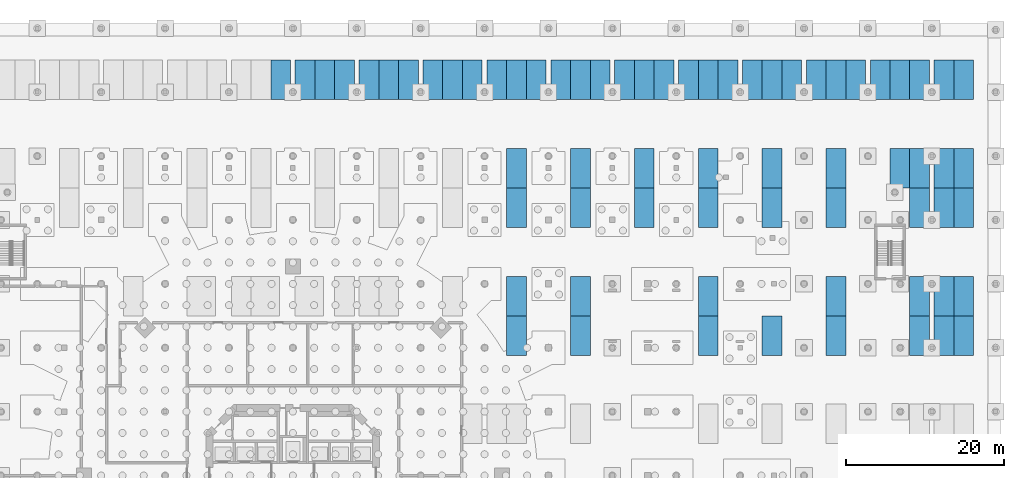
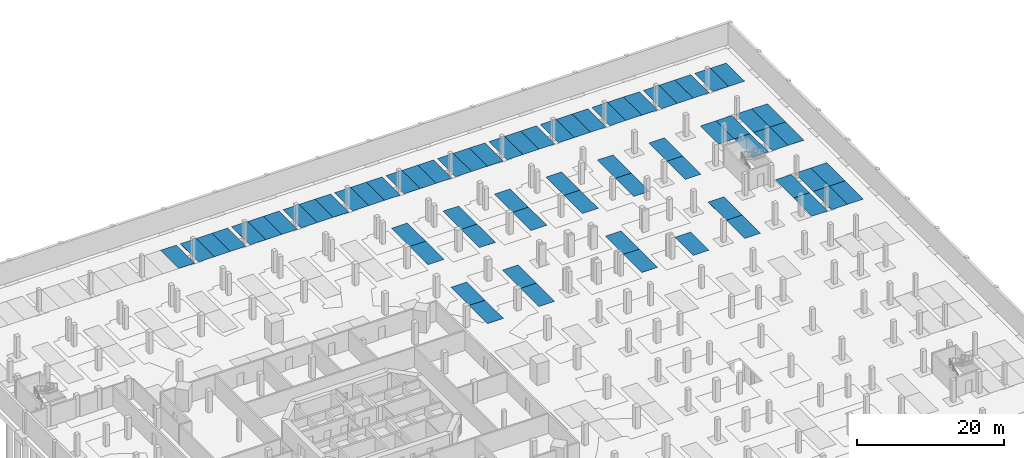
# One storey, part 21 of 23: 67 discrete accessories.
"""IFC4 building model written with IfcOpenShell, lengths in metres."""

from ifc_helpers import new_model, si_unit, direction, frame, origin, origin_2d, place, context, subcontext, project, spatial, rectangle, extrude, element, save


model = new_model("IFC4")

# Units and contexts
model_context = context("Model", 3, precision=1e-05, world=origin(), true_north=direction((0.0, 1.0)))
body_context = subcontext(model_context, "Body", "Model", "MODEL_VIEW")
ifc_project = project(units=[si_unit("LENGTHUNIT", "METRE"), si_unit("AREAUNIT", "SQUARE_METRE"), si_unit("VOLUMEUNIT", "CUBIC_METRE"), si_unit("PLANEANGLEUNIT", "RADIAN"), si_unit("MASSUNIT", "GRAM", prefix="KILO")], contexts=[model_context])

# Site, building, storey
site_placement = place(None, origin())
site = spatial("IfcSite", under=ifc_project, at=site_placement, CompositionType="ELEMENT")
building_placement = place(site_placement, origin())
building = spatial("IfcBuilding", under=site, at=building_placement, Name="Torre Triforio", CompositionType="ELEMENT")
storey_placement = place(building_placement, frame((0.0, 0.0, -10.800048828125)))
storey = spatial("IfcBuildingStorey", under=building, at=storey_placement, Name="B3", CompositionType="ELEMENT", Elevation=-10.800048828125)

# Discrete accessories
for number, where, z_axis, x_axis, name in (
    (1, (-1.550048828125, 50.14990234375, 0.0), (0.0, 0.0, 1.0), (1.0, 0.0, 0.0), "Parking bay marking B3-F-19"),
    (2, (1.550048828125, 50.14990234375, 0.0), (0.0, 0.0, 1.0), (1.0, 0.0, 0.0), "Parking bay marking B3-F-20"),
    (3, (4.050048828125, 50.14990234375, 0.0), (0.0, 0.0, 1.0), (1.0, 0.0, 0.0), "Parking bay marking B3-F-21"),
    (4, (6.550048828125, 50.14990234375, 0.0), (0.0, 0.0, 1.0), (1.0, 0.0, 0.0), "Parking bay marking B3-F-22"),
    (5, (9.64990234375, 50.14990234375, 0.0), (0.0, 0.0, 1.0), (1.0, 0.0, 0.0), "Parking bay marking B3-F-23"),
    (6, (12.14990234375, 50.14990234375, 0.0), (0.0, 0.0, 1.0), (1.0, 0.0, 0.0), "Parking bay marking B3-F-24"),
    (7, (14.64990234375, 50.14990234375, 0.0), (0.0, 0.0, 1.0), (1.0, 0.0, 0.0), "Parking bay marking B3-F-25"),
    (8, (17.75, 50.14990234375, 0.0), (0.0, 0.0, 1.0), (1.0, 0.0, 0.0), "Parking bay marking B3-F-26"),
    (9, (20.25, 50.14990234375, 0.0), (0.0, 0.0, 1.0), (1.0, 0.0, 0.0), "Parking bay marking B3-F-27"),
    (10, (22.75, 50.14990234375, 0.0), (0.0, 0.0, 1.0), (1.0, 0.0, 0.0), "Parking bay marking B3-F-28"),
    (11, (28.35009765625, 17.75, 0.0), (0.0, 0.0, 1.0), (1.0, 0.0, 0.0), "Parking bay marking B3-G-05"),
    (12, (36.449951171875, 17.75, 0.0), (0.0, 0.0, 1.0), (1.0, 0.0, 0.0), "Parking bay marking B3-G-06"),
    (13, (52.64990234375, 17.75, 0.0), (0.0, 0.0, 1.0), (1.0, 0.0, 0.0), "Parking bay marking B3-G-07"),
    (14, (28.35009765625, 22.75, 0.0), (0.0, 0.0, 1.0), (1.0, 0.0, 0.0), "Parking bay marking B3-G-08"),
    (15, (36.449951171875, 22.75, 0.0), (0.0, 0.0, 1.0), (1.0, 0.0, 0.0), "Parking bay marking B3-G-09"),
    (16, (52.64990234375, 22.75, 0.0), (0.0, 0.0, 1.0), (1.0, 0.0, 0.0), "Parking bay marking B3-G-10"),
    (17, (28.35009765625, 33.949951171875, 0.0), (0.0, 0.0, 1.0), (1.0, 0.0, 0.0), "Parking bay marking B3-G-11"),
    (18, (36.449951171875, 33.949951171875, 0.0), (0.0, 0.0, 1.0), (1.0, 0.0, 0.0), "Parking bay marking B3-G-12"),
    (19, (44.550048828125, 33.949951171875, 0.0), (0.0, 0.0, 1.0), (1.0, 0.0, 0.0), "Parking bay marking B3-G-13"),
    (20, (52.64990234375, 33.949951171875, 0.0), (0.0, 0.0, 1.0), (1.0, 0.0, 0.0), "Parking bay marking B3-G-14"),
    (21, (28.35009765625, 38.949951171875, 0.0), (0.0, 0.0, 1.0), (1.0, 0.0, 0.0), "Parking bay marking B3-G-15"),
    (22, (36.449951171875, 38.949951171875, 0.0), (0.0, 0.0, 1.0), (1.0, 0.0, 0.0), "Parking bay marking B3-G-16"),
    (23, (44.550048828125, 38.949951171875, 0.0), (0.0, 0.0, 1.0), (1.0, 0.0, 0.0), "Parking bay marking B3-G-17"),
    (24, (52.64990234375, 38.949951171875, 0.0), (0.0, 0.0, 1.0), (1.0, 0.0, 0.0), "Parking bay marking B3-G-18"),
    (25, (25.85009765625, 50.14990234375, 0.0), (0.0, 0.0, 1.0), (1.0, 0.0, 0.0), "Parking bay marking B3-G-19"),
    (26, (28.35009765625, 50.14990234375, 0.0), (0.0, 0.0, 1.0), (1.0, 0.0, 0.0), "Parking bay marking B3-G-20"),
    (27, (30.85009765625, 50.14990234375, 0.0), (0.0, 0.0, 1.0), (1.0, 0.0, 0.0), "Parking bay marking B3-G-21"),
    (28, (33.949951171875, 50.14990234375, 0.0), (0.0, 0.0, 1.0), (1.0, 0.0, 0.0), "Parking bay marking B3-G-22"),
    (29, (36.449951171875, 50.14990234375, 0.0), (0.0, 0.0, 1.0), (1.0, 0.0, 0.0), "Parking bay marking B3-G-23"),
    (30, (38.949951171875, 50.14990234375, 0.0), (0.0, 0.0, 1.0), (1.0, 0.0, 0.0), "Parking bay marking B3-G-24"),
    (31, (42.050048828125, 50.14990234375, 0.0), (0.0, 0.0, 1.0), (1.0, 0.0, 0.0), "Parking bay marking B3-G-25"),
    (32, (44.550048828125, 50.14990234375, 0.0), (0.0, 0.0, 1.0), (1.0, 0.0, 0.0), "Parking bay marking B3-G-26"),
    (33, (47.050048828125, 50.14990234375, 0.0), (0.0, 0.0, 1.0), (1.0, 0.0, 0.0), "Parking bay marking B3-G-27"),
    (34, (50.14990234375, 50.14990234375, 0.0), (0.0, 0.0, 1.0), (1.0, 0.0, 0.0), "Parking bay marking B3-G-28"),
    (35, (52.64990234375, 50.14990234375, 0.0), (0.0, 0.0, 1.0), (1.0, 0.0, 0.0), "Parking bay marking B3-G-29"),
    (36, (55.14990234375, 50.14990234375, 0.0), (0.0, 0.0, 1.0), (1.0, 0.0, 0.0), "Parking bay marking B3-G-30"),
    (37, (60.75, 17.75, 0.0), (0.0, 0.0, 1.0), (1.0, 0.0, 0.0), "Parking bay marking B3-H-06"),
    (38, (68.85009765625, 17.75, 0.0), (0.0, 0.0, 1.0), (1.0, 0.0, 0.0), "Parking bay marking B3-H-07"),
    (39, (79.449951171875, 17.75, 0.0), (0.0, 0.0, 1.0), (1.0, 0.0, 0.0), "Parking bay marking B3-H-08"),
    (40, (82.550048828125, 17.75, 0.0), (0.0, 0.0, 1.0), (1.0, 0.0, 0.0), "Parking bay marking B3-H-09"),
    (41, (85.050048828125, 17.75, 0.0), (0.0, 0.0, 1.0), (1.0, 0.0, 0.0), "Parking bay marking B3-H-10"),
    (42, (68.85009765625, 22.75, 0.0), (0.0, 0.0, 1.0), (1.0, 0.0, 0.0), "Parking bay marking B3-H-11"),
    (43, (79.449951171875, 22.75, 0.0), (0.0, 0.0, 1.0), (1.0, 0.0, 0.0), "Parking bay marking B3-H-12"),
    (44, (82.550048828125, 22.75, 0.0), (0.0, 0.0, 1.0), (1.0, 0.0, 0.0), "Parking bay marking B3-H-13"),
    (45, (85.050048828125, 22.75, 0.0), (0.0, 0.0, 1.0), (1.0, 0.0, 0.0), "Parking bay marking B3-H-14"),
    (46, (60.75, 33.949951171875, 0.0), (0.0, 0.0, 1.0), (1.0, 0.0, 0.0), "Parking bay marking B3-H-15"),
    (47, (68.85009765625, 33.949951171875, 0.0), (0.0, 0.0, 1.0), (1.0, 0.0, 0.0), "Parking bay marking B3-H-16"),
    (48, (79.449951171875, 33.949951171875, 0.0), (0.0, 0.0, 1.0), (1.0, 0.0, 0.0), "Parking bay marking B3-H-17"),
    (49, (82.550048828125, 33.949951171875, 0.0), (0.0, 0.0, 1.0), (1.0, 0.0, 0.0), "Parking bay marking B3-H-18"),
    (50, (85.050048828125, 33.949951171875, 0.0), (0.0, 0.0, 1.0), (1.0, 0.0, 0.0), "Parking bay marking B3-H-19"),
    (51, (60.75, 38.949951171875, 0.0), (0.0, 0.0, 1.0), (1.0, 0.0, 0.0), "Parking bay marking B3-H-20"),
    (52, (68.85009765625, 38.949951171875, 0.0), (0.0, 0.0, 1.0), (1.0, 0.0, 0.0), "Parking bay marking B3-H-21"),
    (53, (76.949951171875, 38.949951171875, 0.0), (0.0, 0.0, 1.0), (1.0, 0.0, 0.0), "Parking bay marking B3-H-22"),
    (54, (79.449951171875, 38.949951171875, 0.0), (0.0, 0.0, 1.0), (1.0, 0.0, 0.0), "Parking bay marking B3-H-23"),
    (55, (82.550048828125, 38.949951171875, 0.0), (0.0, 0.0, 1.0), (1.0, 0.0, 0.0), "Parking bay marking B3-H-24"),
    (56, (85.050048828125, 38.949951171875, 0.0), (0.0, 0.0, 1.0), (1.0, 0.0, 0.0), "Parking bay marking B3-H-25"),
    (57, (58.25, 50.14990234375, 0.0), (0.0, 0.0, 1.0), (1.0, 0.0, 0.0), "Parking bay marking B3-H-26"),
    (58, (60.75, 50.14990234375, 0.0), (0.0, 0.0, 1.0), (1.0, 0.0, 0.0), "Parking bay marking B3-H-27"),
    (59, (63.25, 50.14990234375, 0.0), (0.0, 0.0, 1.0), (1.0, 0.0, 0.0), "Parking bay marking B3-H-28"),
    (60, (66.35009765625, 50.14990234375, 0.0), (0.0, 0.0, 1.0), (1.0, 0.0, 0.0), "Parking bay marking B3-H-29"),
    (61, (68.85009765625, 50.14990234375, 0.0), (0.0, 0.0, 1.0), (1.0, 0.0, 0.0), "Parking bay marking B3-H-30"),
    (62, (71.35009765625, 50.14990234375, 0.0), (0.0, 0.0, 1.0), (1.0, 0.0, 0.0), "Parking bay marking B3-H-31"),
    (63, (74.449951171875, 50.14990234375, 0.0), (0.0, 0.0, 1.0), (1.0, 0.0, 0.0), "Parking bay marking B3-H-32"),
    (64, (76.949951171875, 50.14990234375, 0.0), (0.0, 0.0, 1.0), (1.0, 0.0, 0.0), "Parking bay marking B3-H-33"),
    (65, (79.449951171875, 50.14990234375, 0.0), (0.0, 0.0, 1.0), (1.0, 0.0, 0.0), "Parking bay marking B3-H-34"),
    (66, (82.550048828125, 50.14990234375, 0.0), (0.0, 0.0, 1.0), (1.0, 0.0, 0.0), "Parking bay marking B3-H-35"),
    (67, (85.050048828125, 50.14990234375, 0.0), (0.0, 0.0, 1.0), (1.0, 0.0, 0.0), "Parking bay marking B3-H-36"),
):
    element("IfcDiscreteAccessory", number, at=place(storey_placement, frame(where, z_axis=z_axis, x_axis=x_axis)), inside=storey, Name=name, PredefinedType="NOTDEFINED", context=body_context, shape_type="SweptSolid", body=[
        extrude(rectangle(XDim=2.5, YDim=5.0, at=origin_2d()), origin(), (0.0, 0.0, 1.0), 0.0048828125),
    ])

save(model, "model.ifc")
